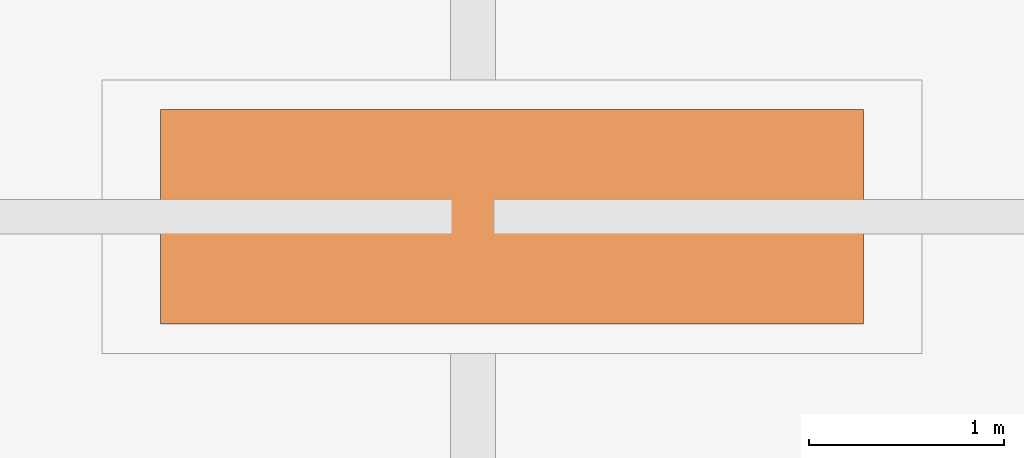
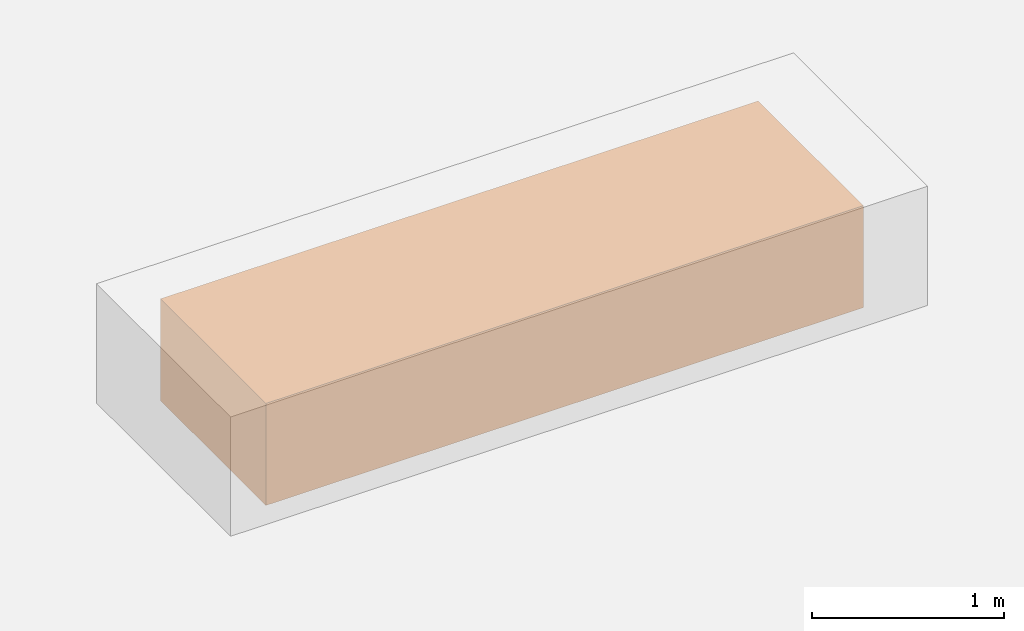
# One storey, part 53 of 53: 1 proxy.
"""IFC4 building model written with IfcOpenShell, lengths in metres."""

from ifc_helpers import new_model, si_unit, direction, frame, origin, origin_2d, place, context, subcontext, project, spatial, rectangle, extrude, material, type_object, element, save


model = new_model("IFC4")

# Units and contexts
model_context = context("Model", 3, precision=1e-05, world=origin(), true_north=direction((0.0, 1.0)))
body_context = subcontext(model_context, "Body", "Model", "MODEL_VIEW")
ifc_project = project(units=[si_unit("LENGTHUNIT", "METRE"), si_unit("AREAUNIT", "SQUARE_METRE"), si_unit("VOLUMEUNIT", "CUBIC_METRE"), si_unit("PLANEANGLEUNIT", "RADIAN"), si_unit("MASSUNIT", "GRAM", prefix="KILO")], contexts=[model_context])

# Site, building, storey
site_placement = place(None, origin())
site = spatial("IfcSite", under=ifc_project, at=site_placement, CompositionType="ELEMENT")
building_placement = place(site_placement, origin())
building = spatial("IfcBuilding", under=site, at=building_placement, Name="Tashvorn Skyway Center", CompositionType="ELEMENT")
storey_placement = place(building_placement, frame((0.0, 0.0, 255.39990234375)))
storey = spatial("IfcBuildingStorey", under=building, at=storey_placement, Name="L69", CompositionType="ELEMENT", Elevation=255.39990234375)

# Proxy
ifc_material = material(Name="Engineered Mojave xeriscape planter concrete C40/50", Category="concrete")
building_element_proxy_type = type_object("IfcBuildingElementProxyType", Name="FURN-PLANTER", PredefinedType="USERDEFINED", material=ifc_material)
proxy_placement = place(storey_placement, frame((8.60009765625, 32.0, 0.000244140625), z_axis=(0.0, 0.0, 1.0), x_axis=(1.0, 0.0, 0.0)))
element("IfcBuildingElementProxy", 1, at=proxy_placement, inside=storey, type_object=building_element_proxy_type, Name="Sky-Park L69 Mojave Xeriscape PLANTER", ObjectType="PLANTER", PredefinedType="USERDEFINED", context=body_context, shape_type="SweptSolid", body=[
    extrude(rectangle(XDim=3.60009765625, YDim=1.10009765625, at=origin_2d()), origin(), (0.0, 0.0, 1.0), 0.64990234375),
])

save(model, "model.ifc")
